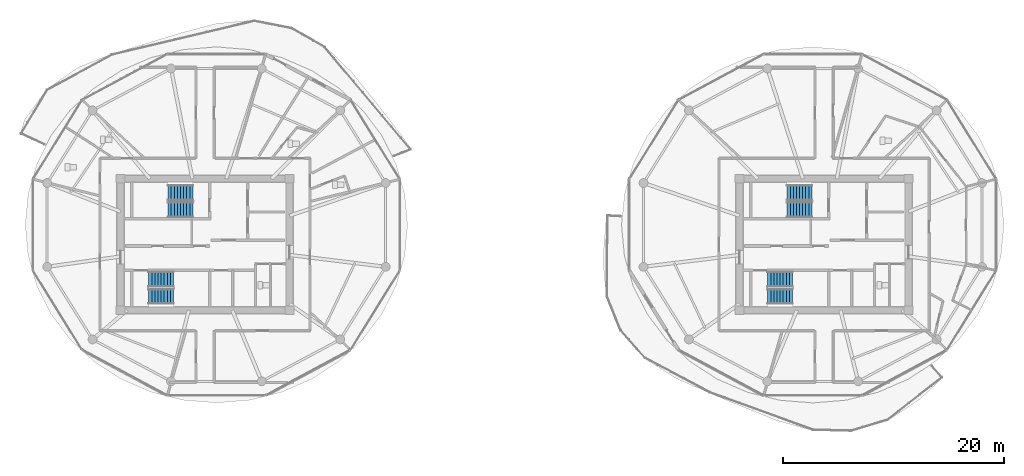
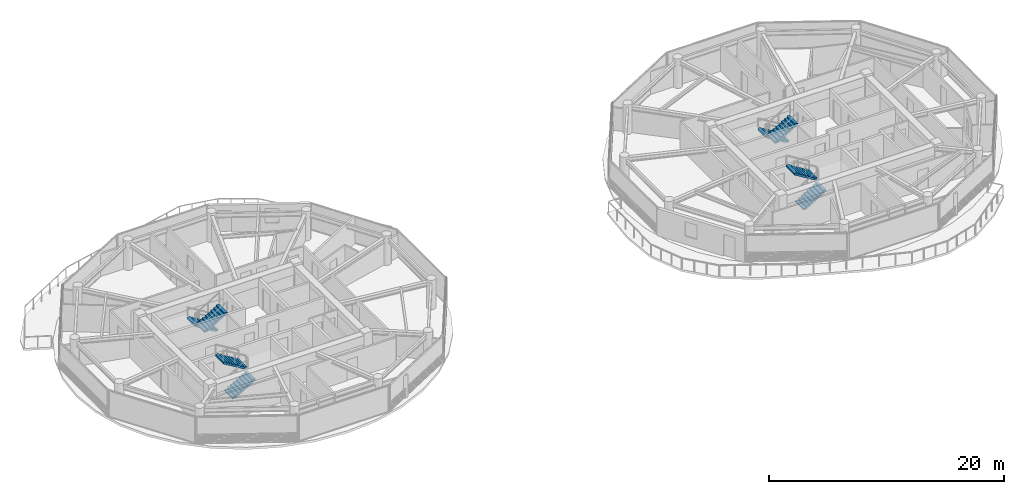
# One storey, part 17 of 21: 8 stair flights, 4 elements without a shape of their own.
"""IFC4 building model written with IfcOpenShell, lengths in metres."""

import ifcopenshell
import ifcopenshell.guid

model = None  # the IFC model being written
_history = None  # IfcOwnerHistory: only IFC2X3 demands one
_inside = {}  # id of a spatial element -> (the spatial element, [elements in it])
_under = {}  # id of a project, library or spatial element -> (it, [spatial elements below it])
_declared = {}  # id of a project -> (the project, [libraries it declares])
_typed = {}  # id of a type object -> (the type object, [elements of that type])
_made_of = {}  # id of a material, layer set ... -> (it, [elements and type objects made of it])


def new_model(schema):
    """Start an empty IFC model of exactly this schema.

    Asked for "IFC4X3", IfcOpenShell would pick the latest addendum, in which some entities
    have other attributes; the version numbers below select the first issue.
    IFC2X3 requires an IfcOwnerHistory on every rooted entity: one is made here for all.
    """
    global model, _history
    if schema == "IFC4X3":
        model = ifcopenshell.file(schema_version=(4, 3, 0, 0))
    else:
        model = ifcopenshell.file(schema=schema)
    _inside.clear()
    _under.clear()
    _declared.clear()
    _typed.clear()
    _made_of.clear()
    _history = None
    if model.schema == "IFC2X3":
        org = make("IfcOrganization", Name="unknown")
        user = make(
            "IfcPersonAndOrganization",
            ThePerson=make("IfcPerson", FamilyName="unknown"),
            TheOrganization=org,
        )
        app = make(
            "IfcApplication",
            ApplicationDeveloper=org,
            Version="unknown",
            ApplicationFullName="unknown",
            ApplicationIdentifier="unknown",
        )
        _history = make(
            "IfcOwnerHistory",
            OwningUser=user,
            OwningApplication=app,
            ChangeAction="ADDED",
            CreationDate=0,
        )
    return model


def make(cls, **values):
    """One entity of the class cls with the attributes given. An attribute that is None is left unset."""
    return model.create_entity(
        cls, **{name: value for name, value in values.items() if value is not None}
    )


def rooted(cls, **values):
    """An entity with a GlobalId (a new one), such as an element, a storey or a relation."""
    return make(cls, GlobalId=ifcopenshell.guid.new(), OwnerHistory=_history, **values)


def si_unit(unit_type, name, prefix=None):
    """IfcSIUnit, for example si_unit("LENGTHUNIT", "METRE", prefix="MILLI")."""
    return make("IfcSIUnit", UnitType=unit_type, Prefix=prefix, Name=name)


def assignment(units):
    """IfcUnitAssignment: the units of a project."""
    return None if units is None else make("IfcUnitAssignment", Units=units)


def point(xyz):
    """IfcCartesianPoint."""
    return None if xyz is None else make("IfcCartesianPoint", Coordinates=xyz)


def direction(xyz):
    """IfcDirection."""
    return None if xyz is None else make("IfcDirection", DirectionRatios=xyz)


def frame(location, z_axis=None, x_axis=None):
    """IfcAxis2Placement3D, a coordinate frame: its origin and axes. An axis left out is left unset."""
    return make(
        "IfcAxis2Placement3D",
        Location=point(location),
        Axis=direction(z_axis),
        RefDirection=direction(x_axis),
    )


def origin():
    """The frame at (0, 0, 0) with its axes left unset."""
    return frame((0.0, 0.0, 0.0))


def place(relative_to, where):
    """IfcLocalPlacement: puts the frame where relative to a parent placement (None: the world)."""
    return make(
        "IfcLocalPlacement", PlacementRelTo=relative_to, RelativePlacement=where
    )


def context(
    kind, dimensions, precision=None, world=None, true_north=None, identifier=None
):
    """IfcGeometricRepresentationContext, for example the 3D "Model" context."""
    return make(
        "IfcGeometricRepresentationContext",
        ContextIdentifier=identifier,
        ContextType=kind,
        CoordinateSpaceDimension=dimensions,
        Precision=precision,
        WorldCoordinateSystem=world,
        TrueNorth=true_north,
    )


def subcontext(parent, identifier, kind, view, scale=None):
    """IfcGeometricRepresentationSubContext, for example "Body" below "Model"."""
    return make(
        "IfcGeometricRepresentationSubContext",
        ContextIdentifier=identifier,
        ContextType=kind,
        ParentContext=parent,
        TargetScale=scale,
        TargetView=view,
    )


def project(units=None, contexts=None):
    """IfcProject with its units and contexts."""
    return rooted(
        "IfcProject",
        Name="project",
        RepresentationContexts=contexts,
        UnitsInContext=assignment(units),
    )


def spatial(cls, under=None, at=None, **own):
    """A site, building, storey or space (cls), placed at a placement, below another one or the project."""
    s = rooted(cls, ObjectPlacement=at, **own)
    if under is not None:
        _under.setdefault(under.id(), (under, []))[1].append(s)
    return s


def polyline(points):
    """IfcPolyline through the points."""
    return make("IfcPolyline", Points=[point(p) for p in points])


def outline(outer, holes=None, kind="AREA"):
    """IfcArbitraryClosedProfileDef: a profile drawn as a closed curve; with holes, ...WithVoids."""
    if holes is None:
        return make("IfcArbitraryClosedProfileDef", ProfileType=kind, OuterCurve=outer)
    return make(
        "IfcArbitraryProfileDefWithVoids",
        ProfileType=kind,
        OuterCurve=outer,
        InnerCurves=holes,
    )


def extrude(swept, where, along, depth):
    """IfcExtrudedAreaSolid: the profile swept, set in the frame where, extruded along a direction by depth."""
    return make(
        "IfcExtrudedAreaSolid",
        SweptArea=swept,
        Position=where,
        ExtrudedDirection=direction(along),
        Depth=depth,
    )


def shape(context_of_items, identifier, shape_type, items):
    """IfcShapeRepresentation: the items that make up one representation, for example the "Body"."""
    return make(
        "IfcShapeRepresentation",
        ContextOfItems=context_of_items,
        RepresentationIdentifier=identifier,
        RepresentationType=shape_type,
        Items=items,
    )


def material(Name=None, Category=None):
    """IfcMaterial."""
    return make("IfcMaterial", Name=Name, Category=Category)


def made_of(thing, what):
    """Note that an element or type object is made of a material, layer set ...; save() writes the relation."""
    if what is not None:
        _made_of.setdefault(what.id(), (what, []))[1].append(thing)
    return thing


def type_object(cls, material=None, **own):
    """A type object (cls), such as IfcWallType, which elements share."""
    return made_of(rooted(cls, **own), material)


def element(
    cls,
    number,
    at=None,
    inside=None,
    cuts=None,
    type_object=None,
    material=None,
    context=None,
    identifier="Body",
    shape_type=None,
    held_by="IfcProductDefinitionShape",
    body=None,
    shapes=None,
    **own,
):
    """One element of the class cls, such as IfcWall. Its Tag is "e" and its number.

    at: its placement. inside: the storey or other place that contains it. cuts: it is an
    opening in that element (IfcRelVoidsElement). A single representation is given by context,
    identifier, shape_type and body (its items); several are given by shapes. held_by: the class
    of the entity that holds the representations. save() writes the other relations.
    """
    e = rooted(cls, Tag="e%d" % number, ObjectPlacement=at, **own)
    if body is not None:
        shapes = [shape(context, identifier, shape_type, body)]
    if shapes is not None:
        e.Representation = make(held_by, Representations=shapes)
    if inside is not None:
        _inside.setdefault(inside.id(), (inside, []))[1].append(e)
    if cuts is not None:
        rooted(
            "IfcRelVoidsElement", RelatingBuildingElement=cuts, RelatedOpeningElement=e
        )
    if type_object is not None:
        _typed.setdefault(type_object.id(), (type_object, []))[1].append(e)
    return made_of(e, material)


def aggregate(whole, parts):
    """IfcRelAggregates: a whole, such as a stair, and the parts it consists of."""
    return rooted("IfcRelAggregates", RelatingObject=whole, RelatedObjects=parts)


def save(model, path):
    """Write the relations noted so far, then the file.

    IfcRelAggregates (storeys below a building ...), IfcRelContainedInSpatialStructure (elements
    in a storey), IfcRelDefinesByType, IfcRelAssociatesMaterial and IfcRelDeclares: one each for
    every whole, place, type object, material and project.
    """
    for whole, parts in _under.values():
        aggregate(whole, parts)
    for where, things in _inside.values():
        rooted(
            "IfcRelContainedInSpatialStructure",
            RelatedElements=things,
            RelatingStructure=where,
        )
    for kind, things in _typed.values():
        rooted("IfcRelDefinesByType", RelatedObjects=things, RelatingType=kind)
    for what, things in _made_of.values():
        rooted("IfcRelAssociatesMaterial", RelatedObjects=things, RelatingMaterial=what)
    for by, libraries in _declared.values():
        rooted("IfcRelDeclares", RelatingContext=by, RelatedDefinitions=libraries)
    model.write(path)


model = new_model("IFC4")

# Units and contexts
model_context = context("Model", 3, precision=1e-05, world=origin(), true_north=direction((0.0, 1.0)))
body_context = subcontext(model_context, "Body", "Model", "MODEL_VIEW")
ifc_project = project(units=[si_unit("LENGTHUNIT", "METRE"), si_unit("AREAUNIT", "SQUARE_METRE"), si_unit("VOLUMEUNIT", "CUBIC_METRE"), si_unit("PLANEANGLEUNIT", "RADIAN"), si_unit("MASSUNIT", "GRAM", prefix="KILO")], contexts=[model_context])

# Site, building, storey
site_placement = place(None, origin())
site = spatial("IfcSite", under=ifc_project, at=site_placement, CompositionType="ELEMENT")
building_placement = place(site_placement, origin())
building = spatial("IfcBuilding", under=site, at=building_placement, Name="Norrkilde Senior Care Towers", CompositionType="ELEMENT")
storey_placement = place(building_placement, frame((0.0, 0.0, 146.5)))
storey = spatial("IfcBuildingStorey", under=building, at=storey_placement, Name="L45", CompositionType="ELEMENT", Elevation=146.5)

# Stair, stair flights
ifc_material = material(Name="Concrete C45/55", Category="concrete")
stair_type = type_object("IfcStairType", Name="Core Protected Dogleg Stair Typical 3050", PredefinedType="HALF_TURN_STAIR", material=ifc_material)
stair_1_placement = place(storey_placement, origin())
stair_1 = element("IfcStair", 1, at=stair_1_placement, inside=storey, type_object=stair_type, Name="L45 Protected Core Stair W1", PredefinedType="HALF_TURN_STAIR")
stair_flight_type = type_object("IfcStairFlightType", Name="Core Protected Dogleg Stair Typical 3050 Flight", PredefinedType="STRAIGHT", material=ifc_material)
stair_flight_1_placement = place(storey_placement, frame((-29.10009765625, 4.699951171875, 0.0), z_axis=(0.0, 0.0, 1.0), x_axis=(-1.0, 0.0, 0.0)))
stair_flight_1 = element("IfcStairFlight", 2, at=stair_flight_1_placement, type_object=stair_flight_type, Name="ST-W1 flight 1", NumberOfRisers=9, NumberOfTreads=8, PredefinedType="STRAIGHT", RiserHeight=0.169444444, TreadLength=0.28, context=body_context, shape_type="SweptSolid", body=[
    extrude(outline(polyline([(0.0, 0.0), (0.0, 0.16943359375), (0.280029296875, 0.16943359375), (0.280029296875, 0.3388671875), (0.56005859375, 0.3388671875), (0.56005859375, 0.50830078125), (0.840087890625, 0.50830078125), (0.840087890625, 0.677734375), (1.1201171875, 0.677734375), (1.1201171875, 0.84716796875), (1.39990234375, 0.84716796875), (1.39990234375, 1.0166015625), (1.679931640625, 1.0166015625), (1.679931640625, 1.18603515625), (1.9599609375, 1.18603515625), (1.9599609375, 1.35546875), (2.239990234375, 1.35546875), (2.239990234375, 1.52490234375), (2.239990234375, 1.180419921875), (0.28955078125, 0.0), (0.0, 0.0)])), frame((0.0, 0.699951171875, 0.0), z_axis=(0.0, -1.0, 0.0), x_axis=(1.0, 0.0, 0.0)), (0.0, 0.0, 1.0), 1.39990234375),
])
stair_flight_2_placement = place(storey_placement, frame((-31.340087890625, 3.14990234375, 1.52490234375), z_axis=(0.0, 0.0, 1.0), x_axis=(1.0, 0.0, 0.0)))
stair_flight_2 = element("IfcStairFlight", 3, at=stair_flight_2_placement, type_object=stair_flight_type, Name="ST-W1 flight 2", NumberOfRisers=9, NumberOfTreads=8, PredefinedType="STRAIGHT", RiserHeight=0.169444444, TreadLength=0.28, context=body_context, shape_type="SweptSolid", body=[
    extrude(outline(polyline([(0.0, 0.0), (0.0, 0.16943359375), (0.280029296875, 0.16943359375), (0.280029296875, 0.3388671875), (0.56005859375, 0.3388671875), (0.56005859375, 0.50830078125), (0.840087890625, 0.50830078125), (0.840087890625, 0.677734375), (1.1201171875, 0.677734375), (1.1201171875, 0.84716796875), (1.39990234375, 0.84716796875), (1.39990234375, 1.0166015625), (1.679931640625, 1.0166015625), (1.679931640625, 1.18603515625), (1.9599609375, 1.18603515625), (1.9599609375, 1.35546875), (2.239990234375, 1.35546875), (2.239990234375, 1.52490234375), (2.239990234375, 1.180419921875), (0.28955078125, 0.0), (0.0, 0.0)])), frame((0.0, 0.699951171875, 0.0), z_axis=(0.0, -1.0, 0.0), x_axis=(1.0, 0.0, 0.0)), (0.0, 0.0, 1.0), 1.39990234375),
])
aggregate(stair_1, [stair_flight_1, stair_flight_2])

stair_2_placement = place(storey_placement, origin())
stair_2 = element("IfcStair", 4, at=stair_2_placement, inside=storey, type_object=stair_type, Name="L45 Protected Core Stair W2", PredefinedType="HALF_TURN_STAIR")
stair_flight_3_placement = place(storey_placement, frame((-33.10009765625, -4.699951171875, 0.0), z_axis=(0.0, 0.0, 1.0), x_axis=(1.0, 0.0, 0.0)))
stair_flight_3 = element("IfcStairFlight", 5, at=stair_flight_3_placement, type_object=stair_flight_type, Name="ST-W2 flight 1", NumberOfRisers=9, NumberOfTreads=8, PredefinedType="STRAIGHT", RiserHeight=0.169444444, TreadLength=0.28, context=body_context, shape_type="SweptSolid", body=[
    extrude(outline(polyline([(0.0, 0.0), (0.0, 0.16943359375), (0.280029296875, 0.16943359375), (0.280029296875, 0.3388671875), (0.56005859375, 0.3388671875), (0.56005859375, 0.50830078125), (0.840087890625, 0.50830078125), (0.840087890625, 0.677734375), (1.1201171875, 0.677734375), (1.1201171875, 0.84716796875), (1.39990234375, 0.84716796875), (1.39990234375, 1.0166015625), (1.679931640625, 1.0166015625), (1.679931640625, 1.18603515625), (1.9599609375, 1.18603515625), (1.9599609375, 1.35546875), (2.239990234375, 1.35546875), (2.239990234375, 1.52490234375), (2.239990234375, 1.180419921875), (0.28955078125, 0.0), (0.0, 0.0)])), frame((0.0, 0.699951171875, 0.0), z_axis=(0.0, -1.0, 0.0), x_axis=(1.0, 0.0, 0.0)), (0.0, 0.0, 1.0), 1.39990234375),
])
stair_flight_4_placement = place(storey_placement, frame((-30.860107421875, -3.14990234375, 1.52490234375), z_axis=(0.0, 0.0, 1.0), x_axis=(-1.0, 0.0, 0.0)))
stair_flight_4 = element("IfcStairFlight", 6, at=stair_flight_4_placement, type_object=stair_flight_type, Name="ST-W2 flight 2", NumberOfRisers=9, NumberOfTreads=8, PredefinedType="STRAIGHT", RiserHeight=0.169444444, TreadLength=0.28, context=body_context, shape_type="SweptSolid", body=[
    extrude(outline(polyline([(0.0, 0.0), (0.0, 0.16943359375), (0.280029296875, 0.16943359375), (0.280029296875, 0.3388671875), (0.56005859375, 0.3388671875), (0.56005859375, 0.50830078125), (0.840087890625, 0.50830078125), (0.840087890625, 0.677734375), (1.1201171875, 0.677734375), (1.1201171875, 0.84716796875), (1.39990234375, 0.84716796875), (1.39990234375, 1.0166015625), (1.679931640625, 1.0166015625), (1.679931640625, 1.18603515625), (1.9599609375, 1.18603515625), (1.9599609375, 1.35546875), (2.239990234375, 1.35546875), (2.239990234375, 1.52490234375), (2.239990234375, 1.180419921875), (0.28955078125, 0.0), (0.0, 0.0)])), frame((0.0, 0.699951171875, 0.0), z_axis=(0.0, -1.0, 0.0), x_axis=(1.0, 0.0, 0.0)), (0.0, 0.0, 1.0), 1.39990234375),
])
aggregate(stair_2, [stair_flight_3, stair_flight_4])

stair_3_placement = place(storey_placement, origin())
stair_3 = element("IfcStair", 7, at=stair_3_placement, inside=storey, type_object=stair_type, Name="L45 Protected Core Stair E1", PredefinedType="HALF_TURN_STAIR")
stair_flight_5_placement = place(storey_placement, frame((26.89990234375, 4.699951171875, 0.0), z_axis=(0.0, 0.0, 1.0), x_axis=(-1.0, 0.0, 0.0)))
stair_flight_5 = element("IfcStairFlight", 8, at=stair_flight_5_placement, type_object=stair_flight_type, Name="ST-E1 flight 1", NumberOfRisers=9, NumberOfTreads=8, PredefinedType="STRAIGHT", RiserHeight=0.169444444, TreadLength=0.28, context=body_context, shape_type="SweptSolid", body=[
    extrude(outline(polyline([(0.0, 0.0), (0.0, 0.16943359375), (0.280029296875, 0.16943359375), (0.280029296875, 0.3388671875), (0.56005859375, 0.3388671875), (0.56005859375, 0.50830078125), (0.840087890625, 0.50830078125), (0.840087890625, 0.677734375), (1.1201171875, 0.677734375), (1.1201171875, 0.84716796875), (1.39990234375, 0.84716796875), (1.39990234375, 1.0166015625), (1.679931640625, 1.0166015625), (1.679931640625, 1.18603515625), (1.9599609375, 1.18603515625), (1.9599609375, 1.35546875), (2.239990234375, 1.35546875), (2.239990234375, 1.52490234375), (2.239990234375, 1.180419921875), (0.28955078125, 0.0), (0.0, 0.0)])), frame((0.0, 0.699951171875, 0.0), z_axis=(0.0, -1.0, 0.0), x_axis=(1.0, 0.0, 0.0)), (0.0, 0.0, 1.0), 1.39990234375),
])
stair_flight_6_placement = place(storey_placement, frame((24.659912109375, 3.14990234375, 1.52490234375), z_axis=(0.0, 0.0, 1.0), x_axis=(1.0, 0.0, 0.0)))
stair_flight_6 = element("IfcStairFlight", 9, at=stair_flight_6_placement, type_object=stair_flight_type, Name="ST-E1 flight 2", NumberOfRisers=9, NumberOfTreads=8, PredefinedType="STRAIGHT", RiserHeight=0.169444444, TreadLength=0.28, context=body_context, shape_type="SweptSolid", body=[
    extrude(outline(polyline([(0.0, 0.0), (0.0, 0.16943359375), (0.280029296875, 0.16943359375), (0.280029296875, 0.3388671875), (0.56005859375, 0.3388671875), (0.56005859375, 0.50830078125), (0.840087890625, 0.50830078125), (0.840087890625, 0.677734375), (1.1201171875, 0.677734375), (1.1201171875, 0.84716796875), (1.39990234375, 0.84716796875), (1.39990234375, 1.0166015625), (1.679931640625, 1.0166015625), (1.679931640625, 1.18603515625), (1.9599609375, 1.18603515625), (1.9599609375, 1.35546875), (2.239990234375, 1.35546875), (2.239990234375, 1.52490234375), (2.239990234375, 1.180419921875), (0.28955078125, 0.0), (0.0, 0.0)])), frame((0.0, 0.699951171875, 0.0), z_axis=(0.0, -1.0, 0.0), x_axis=(1.0, 0.0, 0.0)), (0.0, 0.0, 1.0), 1.39990234375),
])
aggregate(stair_3, [stair_flight_5, stair_flight_6])

stair_4_placement = place(storey_placement, origin())
stair_4 = element("IfcStair", 10, at=stair_4_placement, inside=storey, type_object=stair_type, Name="L45 Protected Core Stair E2", PredefinedType="HALF_TURN_STAIR")
stair_flight_7_placement = place(storey_placement, frame((22.89990234375, -4.699951171875, 0.0), z_axis=(0.0, 0.0, 1.0), x_axis=(1.0, 0.0, 0.0)))
stair_flight_7 = element("IfcStairFlight", 11, at=stair_flight_7_placement, type_object=stair_flight_type, Name="ST-E2 flight 1", NumberOfRisers=9, NumberOfTreads=8, PredefinedType="STRAIGHT", RiserHeight=0.169444444, TreadLength=0.28, context=body_context, shape_type="SweptSolid", body=[
    extrude(outline(polyline([(0.0, 0.0), (0.0, 0.16943359375), (0.280029296875, 0.16943359375), (0.280029296875, 0.3388671875), (0.56005859375, 0.3388671875), (0.56005859375, 0.50830078125), (0.840087890625, 0.50830078125), (0.840087890625, 0.677734375), (1.1201171875, 0.677734375), (1.1201171875, 0.84716796875), (1.39990234375, 0.84716796875), (1.39990234375, 1.0166015625), (1.679931640625, 1.0166015625), (1.679931640625, 1.18603515625), (1.9599609375, 1.18603515625), (1.9599609375, 1.35546875), (2.239990234375, 1.35546875), (2.239990234375, 1.52490234375), (2.239990234375, 1.180419921875), (0.28955078125, 0.0), (0.0, 0.0)])), frame((0.0, 0.699951171875, 0.0), z_axis=(0.0, -1.0, 0.0), x_axis=(1.0, 0.0, 0.0)), (0.0, 0.0, 1.0), 1.39990234375),
])
stair_flight_8_placement = place(storey_placement, frame((25.139892578125, -3.14990234375, 1.52490234375), z_axis=(0.0, 0.0, 1.0), x_axis=(-1.0, 0.0, 0.0)))
stair_flight_8 = element("IfcStairFlight", 12, at=stair_flight_8_placement, type_object=stair_flight_type, Name="ST-E2 flight 2", NumberOfRisers=9, NumberOfTreads=8, PredefinedType="STRAIGHT", RiserHeight=0.169444444, TreadLength=0.28, context=body_context, shape_type="SweptSolid", body=[
    extrude(outline(polyline([(0.0, 0.0), (0.0, 0.16943359375), (0.280029296875, 0.16943359375), (0.280029296875, 0.3388671875), (0.56005859375, 0.3388671875), (0.56005859375, 0.50830078125), (0.840087890625, 0.50830078125), (0.840087890625, 0.677734375), (1.1201171875, 0.677734375), (1.1201171875, 0.84716796875), (1.39990234375, 0.84716796875), (1.39990234375, 1.0166015625), (1.679931640625, 1.0166015625), (1.679931640625, 1.18603515625), (1.9599609375, 1.18603515625), (1.9599609375, 1.35546875), (2.239990234375, 1.35546875), (2.239990234375, 1.52490234375), (2.239990234375, 1.180419921875), (0.28955078125, 0.0), (0.0, 0.0)])), frame((0.0, 0.699951171875, 0.0), z_axis=(0.0, -1.0, 0.0), x_axis=(1.0, 0.0, 0.0)), (0.0, 0.0, 1.0), 1.39990234375),
])
aggregate(stair_4, [stair_flight_7, stair_flight_8])

save(model, "model.ifc")
